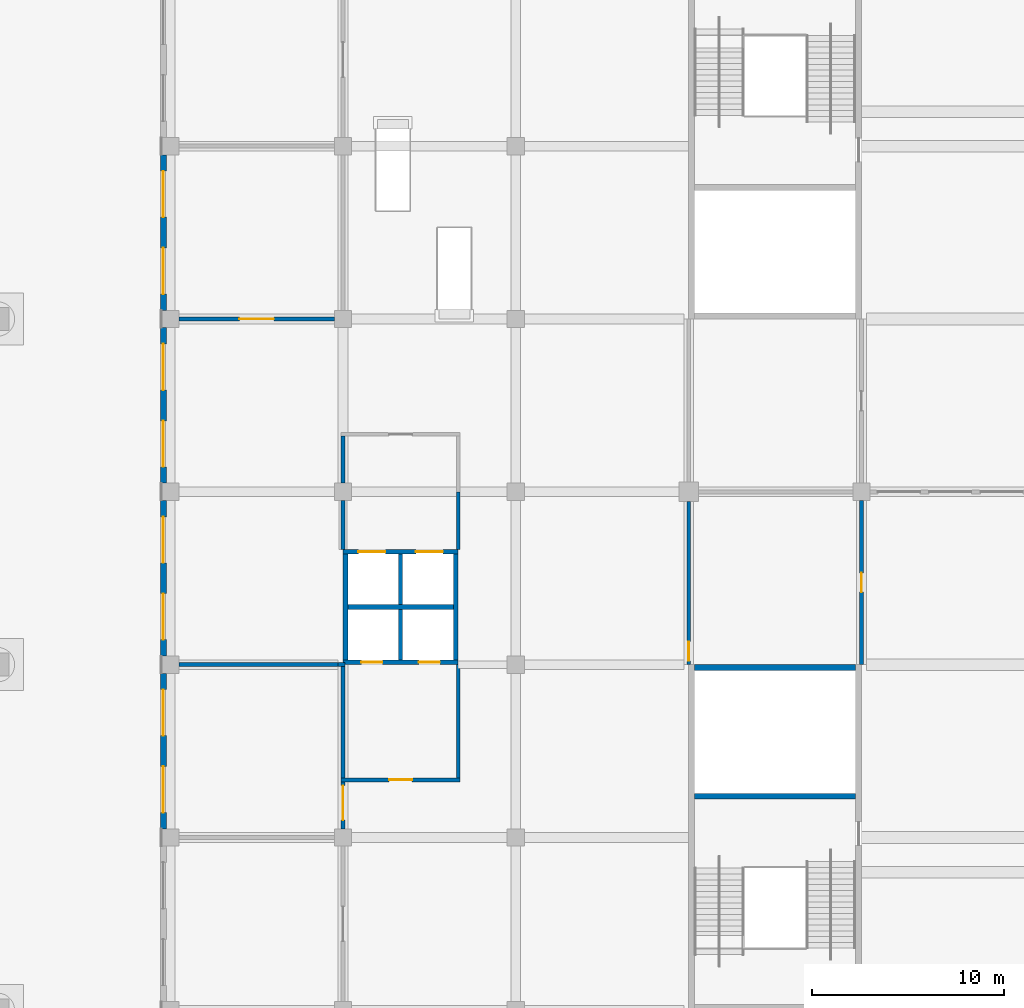
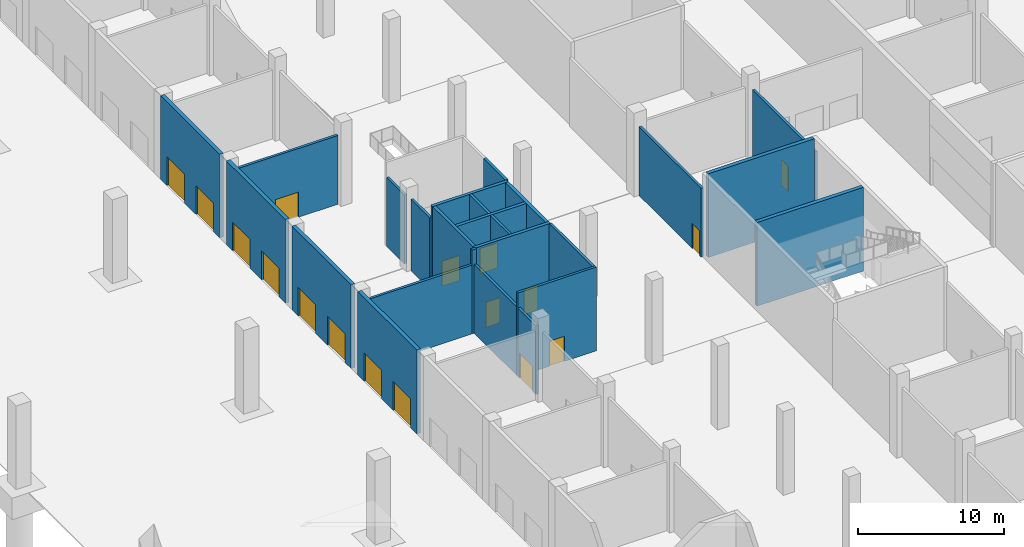
# One storey, part 26 of 92: 25 walls, 17 doors, 17 openings.
"""IFC4 building model written with IfcOpenShell, lengths in metres."""

import ifcopenshell
import ifcopenshell.guid

model = None  # the IFC model being written
_history = None  # IfcOwnerHistory: only IFC2X3 demands one
_inside = {}  # id of a spatial element -> (the spatial element, [elements in it])
_under = {}  # id of a project, library or spatial element -> (it, [spatial elements below it])
_declared = {}  # id of a project -> (the project, [libraries it declares])
_typed = {}  # id of a type object -> (the type object, [elements of that type])
_made_of = {}  # id of a material, layer set ... -> (it, [elements and type objects made of it])


def new_model(schema):
    """Start an empty IFC model of exactly this schema.

    Asked for "IFC4X3", IfcOpenShell would pick the latest addendum, in which some entities
    have other attributes; the version numbers below select the first issue.
    IFC2X3 requires an IfcOwnerHistory on every rooted entity: one is made here for all.
    """
    global model, _history
    if schema == "IFC4X3":
        model = ifcopenshell.file(schema_version=(4, 3, 0, 0))
    else:
        model = ifcopenshell.file(schema=schema)
    _inside.clear()
    _under.clear()
    _declared.clear()
    _typed.clear()
    _made_of.clear()
    _history = None
    if model.schema == "IFC2X3":
        org = make("IfcOrganization", Name="unknown")
        user = make(
            "IfcPersonAndOrganization",
            ThePerson=make("IfcPerson", FamilyName="unknown"),
            TheOrganization=org,
        )
        app = make(
            "IfcApplication",
            ApplicationDeveloper=org,
            Version="unknown",
            ApplicationFullName="unknown",
            ApplicationIdentifier="unknown",
        )
        _history = make(
            "IfcOwnerHistory",
            OwningUser=user,
            OwningApplication=app,
            ChangeAction="ADDED",
            CreationDate=0,
        )
    return model


def make(cls, **values):
    """One entity of the class cls with the attributes given. An attribute that is None is left unset."""
    return model.create_entity(
        cls, **{name: value for name, value in values.items() if value is not None}
    )


def rooted(cls, **values):
    """An entity with a GlobalId (a new one), such as an element, a storey or a relation."""
    return make(cls, GlobalId=ifcopenshell.guid.new(), OwnerHistory=_history, **values)


def si_unit(unit_type, name, prefix=None):
    """IfcSIUnit, for example si_unit("LENGTHUNIT", "METRE", prefix="MILLI")."""
    return make("IfcSIUnit", UnitType=unit_type, Prefix=prefix, Name=name)


def assignment(units):
    """IfcUnitAssignment: the units of a project."""
    return None if units is None else make("IfcUnitAssignment", Units=units)


def point(xyz):
    """IfcCartesianPoint."""
    return None if xyz is None else make("IfcCartesianPoint", Coordinates=xyz)


def direction(xyz):
    """IfcDirection."""
    return None if xyz is None else make("IfcDirection", DirectionRatios=xyz)


def frame(location, z_axis=None, x_axis=None):
    """IfcAxis2Placement3D, a coordinate frame: its origin and axes. An axis left out is left unset."""
    return make(
        "IfcAxis2Placement3D",
        Location=point(location),
        Axis=direction(z_axis),
        RefDirection=direction(x_axis),
    )


def frame_2d(location, x_axis=None):
    """IfcAxis2Placement2D, a coordinate frame in the plane: its origin and x axis."""
    return make(
        "IfcAxis2Placement2D", Location=point(location), RefDirection=direction(x_axis)
    )


def origin():
    """The frame at (0, 0, 0) with its axes left unset."""
    return frame((0.0, 0.0, 0.0))


def place(relative_to, where):
    """IfcLocalPlacement: puts the frame where relative to a parent placement (None: the world)."""
    return make(
        "IfcLocalPlacement", PlacementRelTo=relative_to, RelativePlacement=where
    )


def context(
    kind, dimensions, precision=None, world=None, true_north=None, identifier=None
):
    """IfcGeometricRepresentationContext, for example the 3D "Model" context."""
    return make(
        "IfcGeometricRepresentationContext",
        ContextIdentifier=identifier,
        ContextType=kind,
        CoordinateSpaceDimension=dimensions,
        Precision=precision,
        WorldCoordinateSystem=world,
        TrueNorth=true_north,
    )


def subcontext(parent, identifier, kind, view, scale=None):
    """IfcGeometricRepresentationSubContext, for example "Body" below "Model"."""
    return make(
        "IfcGeometricRepresentationSubContext",
        ContextIdentifier=identifier,
        ContextType=kind,
        ParentContext=parent,
        TargetScale=scale,
        TargetView=view,
    )


def project(units=None, contexts=None):
    """IfcProject with its units and contexts."""
    return rooted(
        "IfcProject",
        Name="project",
        RepresentationContexts=contexts,
        UnitsInContext=assignment(units),
    )


def spatial(cls, under=None, at=None, **own):
    """A site, building, storey or space (cls), placed at a placement, below another one or the project."""
    s = rooted(cls, ObjectPlacement=at, **own)
    if under is not None:
        _under.setdefault(under.id(), (under, []))[1].append(s)
    return s


def profile(cls, at=None, kind="AREA", **sizes):
    """A parametric profile (cls). Its sizes go by their IFC names, for example OverallWidth=200.0."""
    return make(cls, ProfileType=kind, Position=at, **sizes)


def rectangle(**sizes):
    """IfcRectangleProfileDef."""
    return profile("IfcRectangleProfileDef", **sizes)


def extrude(swept, where, along, depth):
    """IfcExtrudedAreaSolid: the profile swept, set in the frame where, extruded along a direction by depth."""
    return make(
        "IfcExtrudedAreaSolid",
        SweptArea=swept,
        Position=where,
        ExtrudedDirection=direction(along),
        Depth=depth,
    )


def shape(context_of_items, identifier, shape_type, items):
    """IfcShapeRepresentation: the items that make up one representation, for example the "Body"."""
    return make(
        "IfcShapeRepresentation",
        ContextOfItems=context_of_items,
        RepresentationIdentifier=identifier,
        RepresentationType=shape_type,
        Items=items,
    )


def material(Name=None, Category=None):
    """IfcMaterial."""
    return make("IfcMaterial", Name=Name, Category=Category)


def layer(
    of_material, thickness, ventilated=None, Name=None, Category=None, Priority=None
):
    """IfcMaterialLayer: one layer of a wall or slab, of a material (None: an air gap)."""
    return make(
        "IfcMaterialLayer",
        Material=of_material,
        LayerThickness=thickness,
        IsVentilated=ventilated,
        Name=Name,
        Category=Category,
        Priority=Priority,
    )


def layer_set(layers, Name=None):
    """IfcMaterialLayerSet."""
    return make("IfcMaterialLayerSet", MaterialLayers=layers, LayerSetName=Name)


def made_of(thing, what):
    """Note that an element or type object is made of a material, layer set ...; save() writes the relation."""
    if what is not None:
        _made_of.setdefault(what.id(), (what, []))[1].append(thing)
    return thing


def type_object(cls, material=None, **own):
    """A type object (cls), such as IfcWallType, which elements share."""
    return made_of(rooted(cls, **own), material)


def element(
    cls,
    number,
    at=None,
    inside=None,
    cuts=None,
    type_object=None,
    material=None,
    context=None,
    identifier="Body",
    shape_type=None,
    held_by="IfcProductDefinitionShape",
    body=None,
    shapes=None,
    **own,
):
    """One element of the class cls, such as IfcWall. Its Tag is "e" and its number.

    at: its placement. inside: the storey or other place that contains it. cuts: it is an
    opening in that element (IfcRelVoidsElement). A single representation is given by context,
    identifier, shape_type and body (its items); several are given by shapes. held_by: the class
    of the entity that holds the representations. save() writes the other relations.
    """
    e = rooted(cls, Tag="e%d" % number, ObjectPlacement=at, **own)
    if body is not None:
        shapes = [shape(context, identifier, shape_type, body)]
    if shapes is not None:
        e.Representation = make(held_by, Representations=shapes)
    if inside is not None:
        _inside.setdefault(inside.id(), (inside, []))[1].append(e)
    if cuts is not None:
        rooted(
            "IfcRelVoidsElement", RelatingBuildingElement=cuts, RelatedOpeningElement=e
        )
    if type_object is not None:
        _typed.setdefault(type_object.id(), (type_object, []))[1].append(e)
    return made_of(e, material)


def fill(opening, filler):
    """IfcRelFillsElement: the door or window that sits in an opening."""
    return rooted(
        "IfcRelFillsElement",
        RelatingOpeningElement=opening,
        RelatedBuildingElement=filler,
    )


def aggregate(whole, parts):
    """IfcRelAggregates: a whole, such as a stair, and the parts it consists of."""
    return rooted("IfcRelAggregates", RelatingObject=whole, RelatedObjects=parts)


def save(model, path):
    """Write the relations noted so far, then the file.

    IfcRelAggregates (storeys below a building ...), IfcRelContainedInSpatialStructure (elements
    in a storey), IfcRelDefinesByType, IfcRelAssociatesMaterial and IfcRelDeclares: one each for
    every whole, place, type object, material and project.
    """
    for whole, parts in _under.values():
        aggregate(whole, parts)
    for where, things in _inside.values():
        rooted(
            "IfcRelContainedInSpatialStructure",
            RelatedElements=things,
            RelatingStructure=where,
        )
    for kind, things in _typed.values():
        rooted("IfcRelDefinesByType", RelatedObjects=things, RelatingType=kind)
    for what, things in _made_of.values():
        rooted("IfcRelAssociatesMaterial", RelatedObjects=things, RelatingMaterial=what)
    for by, libraries in _declared.values():
        rooted("IfcRelDeclares", RelatingContext=by, RelatedDefinitions=libraries)
    model.write(path)


model = new_model("IFC4")

# Units and contexts
model_context = context("Model", 3, precision=1e-05, world=origin(), true_north=direction((0.0, 1.0)))
body_context = subcontext(model_context, "Body", "Model", "MODEL_VIEW")
ifc_project = project(units=[si_unit("LENGTHUNIT", "METRE"), si_unit("AREAUNIT", "SQUARE_METRE"), si_unit("VOLUMEUNIT", "CUBIC_METRE"), si_unit("PLANEANGLEUNIT", "RADIAN"), si_unit("MASSUNIT", "GRAM", prefix="KILO")], contexts=[model_context])

# Site, building, storey
site_placement = place(None, origin())
site = spatial("IfcSite", under=ifc_project, at=site_placement, CompositionType="ELEMENT")
building_placement = place(site_placement, origin())
building = spatial("IfcBuilding", under=site, at=building_placement, Name="Silverbay Arena", CompositionType="ELEMENT")
storey_placement = place(building_placement, origin())
storey = spatial("IfcBuildingStorey", under=building, at=storey_placement, Name="L00", CompositionType="ELEMENT", Elevation=0.0)

# Wall, openings, doors
ifc_material_1 = material(Name="Concrete Grade C45 precast, board-marked finish", Category="concrete")
ifc_layer_1 = layer(ifc_material_1, 0.300048828125)
ifc_layer_set_1 = layer_set([ifc_layer_1], Name="Concrete Grade C45 precast, board-marked finish")
wall_type_1 = type_object("IfcWallType", Name="Board-marked precast wall 300", PredefinedType="SOLIDWALL", material=ifc_layer_set_1)
wall_1_placement = place(storey_placement, frame((26.64990234375, 71.550048828125, 0.0), z_axis=(0.0, 0.0, 1.0), x_axis=(0.0, -1.0, 0.0)))
wall_1 = element("IfcWall", 1, at=wall_1_placement, inside=storey, type_object=wall_type_1, Name="West external wall L00 bay 6", PredefinedType="SOLIDWALL", context=body_context, shape_type="SweptSolid", body=[
    extrude(rectangle(XDim=8.10009765625, YDim=0.300048828125, at=frame_2d((4.050048828125, 0.0))), origin(), (0.0, 0.0, 1.0), 7.0),
])
opening_1_placement = place(wall_1_placement, frame((4.85009765625, 0.0, 0.0)))
opening_1 = element("IfcOpeningElement", 2, at=opening_1_placement, cuts=wall_1, Name="Opening L00-144", PredefinedType="OPENING", context=body_context, shape_type="SweptSolid", body=[
    extrude(rectangle(XDim=2.39990234375, YDim=2.39990234375, at=frame_2d((1.199951171875, 1.199951171875))), frame((0.0, 0.16015625, 0.0), z_axis=(0.0, -1.0, 0.0), x_axis=(1.0, 0.0, 0.0)), (0.0, 0.0, 1.0), 0.320068359375),
])
opening_2_placement = place(wall_1_placement, frame((0.85009765625, 0.0, 0.0)))
opening_2 = element("IfcOpeningElement", 3, at=opening_2_placement, cuts=wall_1, Name="Opening L00-145", PredefinedType="OPENING", context=body_context, shape_type="SweptSolid", body=[
    extrude(rectangle(XDim=2.39990234375, YDim=2.39990234375, at=frame_2d((1.199951171875, 1.199951171875))), frame((0.0, 0.16015625, 0.0), z_axis=(0.0, -1.0, 0.0), x_axis=(1.0, 0.0, 0.0)), (0.0, 0.0, 1.0), 0.320068359375),
])
ifc_material_2 = material(Name="Steel", Category="steel")
door_type_1 = type_object("IfcDoorType", Name="Exit gate door 2400 x 2400", OperationType="DOUBLE_DOOR_SINGLE_SWING", PredefinedType="DOOR", material=ifc_material_2)
door_1_placement = place(opening_1_placement, frame((2.39990234375, 0.0, 0.0), z_axis=(0.0, 0.0, 1.0), x_axis=(-1.0, 0.0, 0.0)))
door_1 = element("IfcDoor", 4, at=door_1_placement, inside=storey, type_object=door_type_1, Name="Pedestrian exit gate G15", OperationType="DOUBLE_DOOR_SINGLE_SWING", OverallHeight=2.39990234375, OverallWidth=2.39990234375, PredefinedType="DOOR", context=body_context, shape_type="SweptSolid", body=[
    extrude(rectangle(XDim=2.39990234375, YDim=2.39990234375, at=frame_2d((1.199951171875, 1.199951171875))), frame((0.0, 0.02490234375, 0.0), z_axis=(0.0, -1.0, 0.0), x_axis=(1.0, 0.0, 0.0)), (0.0, 0.0, 1.0), 0.050048828125),
])
fill(opening_1, door_1)
door_2_placement = place(opening_2_placement, frame((2.39990234375, 0.0, 0.0), z_axis=(0.0, 0.0, 1.0), x_axis=(-1.0, 0.0, 0.0)))
door_2 = element("IfcDoor", 5, at=door_2_placement, inside=storey, type_object=door_type_1, Name="Pedestrian exit gate G16", OperationType="DOUBLE_DOOR_SINGLE_SWING", OverallHeight=2.39990234375, OverallWidth=2.39990234375, PredefinedType="DOOR", context=body_context, shape_type="SweptSolid", body=[
    extrude(rectangle(XDim=2.39990234375, YDim=2.39990234375, at=frame_2d((1.199951171875, 1.199951171875))), frame((0.0, 0.02490234375, 0.0), z_axis=(0.0, -1.0, 0.0), x_axis=(1.0, 0.0, 0.0)), (0.0, 0.0, 1.0), 0.050048828125),
])
fill(opening_2, door_2)

wall_2_placement = place(storey_placement, frame((26.64990234375, 80.550048828125, 0.0), z_axis=(0.0, 0.0, 1.0), x_axis=(0.0, -1.0, 0.0)))
wall_2 = element("IfcWall", 6, at=wall_2_placement, inside=storey, type_object=wall_type_1, Name="West external wall L00 bay 7", PredefinedType="SOLIDWALL", context=body_context, shape_type="SweptSolid", body=[
    extrude(rectangle(XDim=8.10009765625, YDim=0.300048828125, at=frame_2d((4.050048828125, 0.0))), origin(), (0.0, 0.0, 1.0), 7.0),
])
opening_3_placement = place(wall_2_placement, frame((4.85009765625, 0.0, 0.0)))
opening_3 = element("IfcOpeningElement", 7, at=opening_3_placement, cuts=wall_2, Name="Opening L00-146", PredefinedType="OPENING", context=body_context, shape_type="SweptSolid", body=[
    extrude(rectangle(XDim=2.39990234375, YDim=2.39990234375, at=frame_2d((1.199951171875, 1.199951171875))), frame((0.0, 0.16015625, 0.0), z_axis=(0.0, -1.0, 0.0), x_axis=(1.0, 0.0, 0.0)), (0.0, 0.0, 1.0), 0.320068359375),
])
opening_4_placement = place(wall_2_placement, frame((0.85009765625, 0.0, 0.0)))
opening_4 = element("IfcOpeningElement", 8, at=opening_4_placement, cuts=wall_2, Name="Opening L00-147", PredefinedType="OPENING", context=body_context, shape_type="SweptSolid", body=[
    extrude(rectangle(XDim=2.39990234375, YDim=2.39990234375, at=frame_2d((1.199951171875, 1.199951171875))), frame((0.0, 0.16015625, 0.0), z_axis=(0.0, -1.0, 0.0), x_axis=(1.0, 0.0, 0.0)), (0.0, 0.0, 1.0), 0.320068359375),
])
door_3_placement = place(opening_3_placement, frame((2.39990234375, 0.0, 0.0), z_axis=(0.0, 0.0, 1.0), x_axis=(-1.0, 0.0, 0.0)))
door_3 = element("IfcDoor", 9, at=door_3_placement, inside=storey, type_object=door_type_1, Name="Pedestrian exit gate G17", OperationType="DOUBLE_DOOR_SINGLE_SWING", OverallHeight=2.39990234375, OverallWidth=2.39990234375, PredefinedType="DOOR", context=body_context, shape_type="SweptSolid", body=[
    extrude(rectangle(XDim=2.39990234375, YDim=2.39990234375, at=frame_2d((1.199951171875, 1.199951171875))), frame((0.0, 0.02490234375, 0.0), z_axis=(0.0, -1.0, 0.0), x_axis=(1.0, 0.0, 0.0)), (0.0, 0.0, 1.0), 0.050048828125),
])
fill(opening_3, door_3)
door_4_placement = place(opening_4_placement, frame((2.39990234375, 0.0, 0.0), z_axis=(0.0, 0.0, 1.0), x_axis=(-1.0, 0.0, 0.0)))
door_4 = element("IfcDoor", 10, at=door_4_placement, inside=storey, type_object=door_type_1, Name="Pedestrian exit gate G18", OperationType="DOUBLE_DOOR_SINGLE_SWING", OverallHeight=2.39990234375, OverallWidth=2.39990234375, PredefinedType="DOOR", context=body_context, shape_type="SweptSolid", body=[
    extrude(rectangle(XDim=2.39990234375, YDim=2.39990234375, at=frame_2d((1.199951171875, 1.199951171875))), frame((0.0, 0.02490234375, 0.0), z_axis=(0.0, -1.0, 0.0), x_axis=(1.0, 0.0, 0.0)), (0.0, 0.0, 1.0), 0.050048828125),
])
fill(opening_4, door_4)

wall_3_placement = place(storey_placement, frame((26.64990234375, 89.550048828125, 0.0), z_axis=(0.0, 0.0, 1.0), x_axis=(0.0, -1.0, 0.0)))
wall_3 = element("IfcWall", 11, at=wall_3_placement, inside=storey, type_object=wall_type_1, Name="West external wall L00 bay 8", PredefinedType="SOLIDWALL", context=body_context, shape_type="SweptSolid", body=[
    extrude(rectangle(XDim=8.10009765625, YDim=0.300048828125, at=frame_2d((4.050048828125, 0.0))), origin(), (0.0, 0.0, 1.0), 7.0),
])
opening_5_placement = place(wall_3_placement, frame((4.85009765625, 0.0, 0.0)))
opening_5 = element("IfcOpeningElement", 12, at=opening_5_placement, cuts=wall_3, Name="Opening L00-148", PredefinedType="OPENING", context=body_context, shape_type="SweptSolid", body=[
    extrude(rectangle(XDim=2.39990234375, YDim=2.39990234375, at=frame_2d((1.199951171875, 1.199951171875))), frame((0.0, 0.16015625, 0.0), z_axis=(0.0, -1.0, 0.0), x_axis=(1.0, 0.0, 0.0)), (0.0, 0.0, 1.0), 0.320068359375),
])
opening_6_placement = place(wall_3_placement, frame((0.85009765625, 0.0, 0.0)))
opening_6 = element("IfcOpeningElement", 13, at=opening_6_placement, cuts=wall_3, Name="Opening L00-149", PredefinedType="OPENING", context=body_context, shape_type="SweptSolid", body=[
    extrude(rectangle(XDim=2.39990234375, YDim=2.39990234375, at=frame_2d((1.199951171875, 1.199951171875))), frame((0.0, 0.16015625, 0.0), z_axis=(0.0, -1.0, 0.0), x_axis=(1.0, 0.0, 0.0)), (0.0, 0.0, 1.0), 0.320068359375),
])
door_5_placement = place(opening_5_placement, frame((2.39990234375, 0.0, 0.0), z_axis=(0.0, 0.0, 1.0), x_axis=(-1.0, 0.0, 0.0)))
door_5 = element("IfcDoor", 14, at=door_5_placement, inside=storey, type_object=door_type_1, Name="Pedestrian exit gate G19", OperationType="DOUBLE_DOOR_SINGLE_SWING", OverallHeight=2.39990234375, OverallWidth=2.39990234375, PredefinedType="DOOR", context=body_context, shape_type="SweptSolid", body=[
    extrude(rectangle(XDim=2.39990234375, YDim=2.39990234375, at=frame_2d((1.199951171875, 1.199951171875))), frame((0.0, 0.02490234375, 0.0), z_axis=(0.0, -1.0, 0.0), x_axis=(1.0, 0.0, 0.0)), (0.0, 0.0, 1.0), 0.050048828125),
])
fill(opening_5, door_5)
door_6_placement = place(opening_6_placement, frame((2.39990234375, 0.0, 0.0), z_axis=(0.0, 0.0, 1.0), x_axis=(-1.0, 0.0, 0.0)))
door_6 = element("IfcDoor", 15, at=door_6_placement, inside=storey, type_object=door_type_1, Name="Pedestrian exit gate G20", OperationType="DOUBLE_DOOR_SINGLE_SWING", OverallHeight=2.39990234375, OverallWidth=2.39990234375, PredefinedType="DOOR", context=body_context, shape_type="SweptSolid", body=[
    extrude(rectangle(XDim=2.39990234375, YDim=2.39990234375, at=frame_2d((1.199951171875, 1.199951171875))), frame((0.0, 0.02490234375, 0.0), z_axis=(0.0, -1.0, 0.0), x_axis=(1.0, 0.0, 0.0)), (0.0, 0.0, 1.0), 0.050048828125),
])
fill(opening_6, door_6)

wall_4_placement = place(storey_placement, frame((26.64990234375, 98.550048828125, 0.0), z_axis=(0.0, 0.0, 1.0), x_axis=(0.0, -1.0, 0.0)))
wall_4 = element("IfcWall", 16, at=wall_4_placement, inside=storey, type_object=wall_type_1, Name="West external wall L00 bay 9", PredefinedType="SOLIDWALL", context=body_context, shape_type="SweptSolid", body=[
    extrude(rectangle(XDim=8.10009765625, YDim=0.300048828125, at=frame_2d((4.050048828125, 0.0))), origin(), (0.0, 0.0, 1.0), 7.0),
])
opening_7_placement = place(wall_4_placement, frame((4.85009765625, 0.0, 0.0)))
opening_7 = element("IfcOpeningElement", 17, at=opening_7_placement, cuts=wall_4, Name="Opening L00-150", PredefinedType="OPENING", context=body_context, shape_type="SweptSolid", body=[
    extrude(rectangle(XDim=2.39990234375, YDim=2.39990234375, at=frame_2d((1.199951171875, 1.199951171875))), frame((0.0, 0.16015625, 0.0), z_axis=(0.0, -1.0, 0.0), x_axis=(1.0, 0.0, 0.0)), (0.0, 0.0, 1.0), 0.320068359375),
])
opening_8_placement = place(wall_4_placement, frame((0.85009765625, 0.0, 0.0)))
opening_8 = element("IfcOpeningElement", 18, at=opening_8_placement, cuts=wall_4, Name="Opening L00-151", PredefinedType="OPENING", context=body_context, shape_type="SweptSolid", body=[
    extrude(rectangle(XDim=2.39990234375, YDim=2.39990234375, at=frame_2d((1.199951171875, 1.199951171875))), frame((0.0, 0.16015625, 0.0), z_axis=(0.0, -1.0, 0.0), x_axis=(1.0, 0.0, 0.0)), (0.0, 0.0, 1.0), 0.320068359375),
])
door_7_placement = place(opening_7_placement, frame((2.39990234375, 0.0, 0.0), z_axis=(0.0, 0.0, 1.0), x_axis=(-1.0, 0.0, 0.0)))
door_7 = element("IfcDoor", 19, at=door_7_placement, inside=storey, type_object=door_type_1, Name="Pedestrian exit gate G21", OperationType="DOUBLE_DOOR_SINGLE_SWING", OverallHeight=2.39990234375, OverallWidth=2.39990234375, PredefinedType="DOOR", context=body_context, shape_type="SweptSolid", body=[
    extrude(rectangle(XDim=2.39990234375, YDim=2.39990234375, at=frame_2d((1.199951171875, 1.199951171875))), frame((0.0, 0.02490234375, 0.0), z_axis=(0.0, -1.0, 0.0), x_axis=(1.0, 0.0, 0.0)), (0.0, 0.0, 1.0), 0.050048828125),
])
fill(opening_7, door_7)
door_8_placement = place(opening_8_placement, frame((2.39990234375, 0.0, 0.0), z_axis=(0.0, 0.0, 1.0), x_axis=(-1.0, 0.0, 0.0)))
door_8 = element("IfcDoor", 20, at=door_8_placement, inside=storey, type_object=door_type_1, Name="Pedestrian exit gate G22", OperationType="DOUBLE_DOOR_SINGLE_SWING", OverallHeight=2.39990234375, OverallWidth=2.39990234375, PredefinedType="DOOR", context=body_context, shape_type="SweptSolid", body=[
    extrude(rectangle(XDim=2.39990234375, YDim=2.39990234375, at=frame_2d((1.199951171875, 1.199951171875))), frame((0.0, 0.02490234375, 0.0), z_axis=(0.0, -1.0, 0.0), x_axis=(1.0, 0.0, 0.0)), (0.0, 0.0, 1.0), 0.050048828125),
])
fill(opening_8, door_8)

# Walls
ifc_material_3 = material(Name="Concrete Grade C45", Category="concrete")
ifc_layer_2 = layer(ifc_material_3, 0.300048828125)
ifc_layer_set_2 = layer_set([ifc_layer_2], Name="Concrete Grade C45")
wall_type_2 = type_object("IfcWallType", Name="Core wall RC 300 EI 120", PredefinedType="SHEAR", material=ifc_layer_set_2)
for number, where, z_axis, x_axis, name in (
    (21, (62.699951171875, 71.85009765625, 0.0), (0.0, 0.0, 1.0), (-1.0, 0.0, 0.0), "Core wall ST-W1 L00 end 2"),
    (22, (62.699951171875, 65.14990234375, 0.0), (0.0, 0.0, 1.0), (-1.0, 0.0, 0.0), "Core wall ST-W1 L00 stair enclosure"),
):
    element("IfcWall", number, at=place(storey_placement, frame(where, z_axis=z_axis, x_axis=x_axis)), inside=storey, type_object=wall_type_2, Name=name, PredefinedType="SHEAR", context=body_context, shape_type="SweptSolid", body=[
        extrude(rectangle(XDim=8.39990234375, YDim=0.300048828125, at=frame_2d((4.199951171875, 0.0))), origin(), (0.0, 0.0, 1.0), 7.0),
    ])
ifc_material_4 = material(Name="Concrete Grade C45", Category="concrete")
ifc_layer_3 = layer(ifc_material_4, 0.199951171875)
ifc_layer_set_3 = layer_set([ifc_layer_3], Name="Concrete Grade C45")
wall_type_3 = type_object("IfcWallType", Name="Lift shaft divider RC 200 EI 120", PredefinedType="SHEAR", material=ifc_layer_set_3)
for number, where, z_axis, x_axis, name in (
    (23, (39.0, 72.25, 0.0), (0.0, 0.0, 1.0), (0.0, 1.0, 0.0), "Lift shaft divider LB-WG L00 s"),
    (24, (39.0, 75.125, 0.0), (0.0, 0.0, 1.0), (0.0, 1.0, 0.0), "Lift shaft divider LB-WG L00 n"),
):
    element("IfcWall", number, at=place(storey_placement, frame(where, z_axis=z_axis, x_axis=x_axis)), inside=storey, type_object=wall_type_3, Name=name, PredefinedType="SHEAR", context=body_context, shape_type="SweptSolid", body=[
        extrude(rectangle(XDim=2.625, YDim=0.199951171875, at=frame_2d((1.3125, 0.0))), origin(), (0.0, 0.0, 1.0), 7.0),
    ])

# Wall, openings, doors
ifc_material_5 = material(Name="Concrete Grade C45", Category="concrete")
ifc_layer_4 = layer(ifc_material_5, 0.25)
ifc_layer_set_4 = layer_set([ifc_layer_4], Name="Concrete Grade C45")
wall_type_4 = type_object("IfcWallType", Name="Lift shaft wall RC 250 EI 120", PredefinedType="SHEAR", material=ifc_layer_set_4)
wall_5_placement = place(storey_placement, frame((36.0, 72.125, 0.0), z_axis=(0.0, 0.0, 1.0), x_axis=(1.0, 0.0, 0.0)))
wall_5 = element("IfcWall", 25, at=wall_5_placement, inside=storey, type_object=wall_type_4, Name="Lift shaft wall LB-WG L00 south", PredefinedType="SHEAR", context=body_context, shape_type="SweptSolid", body=[
    extrude(rectangle(XDim=6.0, YDim=0.25, at=frame_2d((3.0, 0.0))), origin(), (0.0, 0.0, 1.0), 7.0),
])
opening_9_placement = place(wall_5_placement, frame((0.949951171875, 0.0, 0.0)))
opening_9 = element("IfcOpeningElement", 26, at=opening_9_placement, cuts=wall_5, Name="Opening L00-214", PredefinedType="OPENING", context=body_context, shape_type="SweptSolid", body=[
    extrude(rectangle(XDim=1.10009765625, YDim=2.10009765625, at=frame_2d((0.550048828125, 1.050048828125))), frame((0.0, 0.135009765625, 0.0), z_axis=(0.0, -1.0, 0.0), x_axis=(1.0, 0.0, 0.0)), (0.0, 0.0, 1.0), 0.27001953125),
])
opening_10_placement = place(wall_5_placement, frame((3.949951171875, 0.0, 0.0)))
opening_10 = element("IfcOpeningElement", 27, at=opening_10_placement, cuts=wall_5, Name="Opening L00-215", PredefinedType="OPENING", context=body_context, shape_type="SweptSolid", body=[
    extrude(rectangle(XDim=1.10009765625, YDim=2.10009765625, at=frame_2d((0.550048828125, 1.050048828125))), frame((0.0, 0.135009765625, 0.0), z_axis=(0.0, -1.0, 0.0), x_axis=(1.0, 0.0, 0.0)), (0.0, 0.0, 1.0), 0.27001953125),
])
ifc_material_6 = material(Name="Stainless steel", Category="steel")
door_type_2 = type_object("IfcDoorType", Name="LD1 lift landing door 1100 x 2100", OperationType="DOUBLE_DOOR_SLIDING", PredefinedType="DOOR", material=ifc_material_6)
door_9_placement = place(opening_9_placement, origin())
door_9 = element("IfcDoor", 28, at=door_9_placement, inside=storey, type_object=door_type_2, Name="Lift landing door LF15 L00", OperationType="DOUBLE_DOOR_SLIDING", OverallHeight=2.10009765625, OverallWidth=1.10009765625, PredefinedType="DOOR", context=body_context, shape_type="SweptSolid", body=[
    extrude(rectangle(XDim=1.10009765625, YDim=2.10009765625, at=frame_2d((0.550048828125, 1.050048828125))), frame((0.0, 0.02490234375, 0.0), z_axis=(0.0, -1.0, 0.0), x_axis=(1.0, 0.0, 0.0)), (0.0, 0.0, 1.0), 0.050048828125),
])
fill(opening_9, door_9)
door_10_placement = place(opening_10_placement, origin())
door_10 = element("IfcDoor", 29, at=door_10_placement, inside=storey, type_object=door_type_2, Name="Lift landing door LF16 L00", OperationType="DOUBLE_DOOR_SLIDING", OverallHeight=2.10009765625, OverallWidth=1.10009765625, PredefinedType="DOOR", context=body_context, shape_type="SweptSolid", body=[
    extrude(rectangle(XDim=1.10009765625, YDim=2.10009765625, at=frame_2d((0.550048828125, 1.050048828125))), frame((0.0, 0.02490234375, 0.0), z_axis=(0.0, -1.0, 0.0), x_axis=(1.0, 0.0, 0.0)), (0.0, 0.0, 1.0), 0.050048828125),
])
fill(opening_10, door_10)

wall_6_placement = place(storey_placement, frame((36.0, 77.875, 0.0), z_axis=(0.0, 0.0, 1.0), x_axis=(1.0, 0.0, 0.0)))
wall_6 = element("IfcWall", 30, at=wall_6_placement, inside=storey, type_object=wall_type_4, Name="Lift shaft wall LB-WG L00 north", PredefinedType="SHEAR", context=body_context, shape_type="SweptSolid", body=[
    extrude(rectangle(XDim=6.0, YDim=0.25, at=frame_2d((3.0, 0.0))), origin(), (0.0, 0.0, 1.0), 7.0),
])
opening_11_placement = place(wall_6_placement, frame((0.800048828125, 0.0, 0.0)))
opening_11 = element("IfcOpeningElement", 31, at=opening_11_placement, cuts=wall_6, Name="Opening L00-216", PredefinedType="OPENING", context=body_context, shape_type="SweptSolid", body=[
    extrude(rectangle(XDim=1.39990234375, YDim=2.10009765625, at=frame_2d((0.699951171875, 1.050048828125))), frame((0.0, 0.135009765625, 0.0), z_axis=(0.0, -1.0, 0.0), x_axis=(1.0, 0.0, 0.0)), (0.0, 0.0, 1.0), 0.27001953125),
])
opening_12_placement = place(wall_6_placement, frame((3.800048828125, 0.0, 0.0)))
opening_12 = element("IfcOpeningElement", 32, at=opening_12_placement, cuts=wall_6, Name="Opening L00-217", PredefinedType="OPENING", context=body_context, shape_type="SweptSolid", body=[
    extrude(rectangle(XDim=1.39990234375, YDim=2.10009765625, at=frame_2d((0.699951171875, 1.050048828125))), frame((0.0, 0.135009765625, 0.0), z_axis=(0.0, -1.0, 0.0), x_axis=(1.0, 0.0, 0.0)), (0.0, 0.0, 1.0), 0.27001953125),
])
ifc_material_7 = material(Name="Stainless steel", Category="steel")
door_type_3 = type_object("IfcDoorType", Name="LD2 lift landing door 1400 x 2100", OperationType="DOUBLE_DOOR_SLIDING", PredefinedType="DOOR", material=ifc_material_7)
door_11_placement = place(opening_11_placement, origin())
door_11 = element("IfcDoor", 33, at=door_11_placement, inside=storey, type_object=door_type_3, Name="Lift landing door LF17 L00", OperationType="DOUBLE_DOOR_SLIDING", OverallHeight=2.10009765625, OverallWidth=1.39990234375, PredefinedType="DOOR", context=body_context, shape_type="SweptSolid", body=[
    extrude(rectangle(XDim=1.39990234375, YDim=2.10009765625, at=frame_2d((0.699951171875, 1.050048828125))), frame((0.0, 0.02490234375, 0.0), z_axis=(0.0, -1.0, 0.0), x_axis=(1.0, 0.0, 0.0)), (0.0, 0.0, 1.0), 0.050048828125),
])
fill(opening_11, door_11)
door_12_placement = place(opening_12_placement, origin())
door_12 = element("IfcDoor", 34, at=door_12_placement, inside=storey, type_object=door_type_3, Name="Lift landing door LF19 L00", OperationType="DOUBLE_DOOR_SLIDING", OverallHeight=2.10009765625, OverallWidth=1.39990234375, PredefinedType="DOOR", context=body_context, shape_type="SweptSolid", body=[
    extrude(rectangle(XDim=1.39990234375, YDim=2.10009765625, at=frame_2d((0.699951171875, 1.050048828125))), frame((0.0, 0.02490234375, 0.0), z_axis=(0.0, -1.0, 0.0), x_axis=(1.0, 0.0, 0.0)), (0.0, 0.0, 1.0), 0.050048828125),
])
fill(opening_12, door_12)

# Walls
wall_7_placement = place(storey_placement, frame((36.0, 75.0, 0.0), z_axis=(0.0, 0.0, 1.0), x_axis=(1.0, 0.0, 0.0)))
element("IfcWall", 35, at=wall_7_placement, inside=storey, type_object=wall_type_4, Name="Lift shaft wall LB-WG L00 middle", PredefinedType="SHEAR", context=body_context, shape_type="SweptSolid", body=[
    extrude(rectangle(XDim=6.0, YDim=0.25, at=frame_2d((3.0, 0.0))), origin(), (0.0, 0.0, 1.0), 7.0),
])
for number, where, z_axis, x_axis, name in (
    (36, (36.125, 72.25, 0.0), (0.0, 0.0, 1.0), (0.0, 1.0, 0.0), "Lift shaft wall LB-WG L00 end"),
    (37, (41.875, 72.25, 0.0), (0.0, 0.0, 1.0), (0.0, 1.0, 0.0), "Lift shaft wall LB-WG L00 end"),
):
    element("IfcWall", number, at=place(storey_placement, frame(where, z_axis=z_axis, x_axis=x_axis)), inside=storey, type_object=wall_type_4, Name=name, PredefinedType="SHEAR", context=body_context, shape_type="SweptSolid", body=[
        extrude(rectangle(XDim=5.5, YDim=0.25, at=frame_2d((2.75, 0.0))), origin(), (0.0, 0.0, 1.0), 7.0),
    ])

# Wall, opening, door
ifc_material_8 = material(Name="Masonry blockwork partition", Category="masonry")
ifc_layer_5 = layer(ifc_material_8, 0.199951171875)
ifc_layer_set_5 = layer_set([ifc_layer_5], Name="Masonry blockwork partition")
wall_type_5 = type_object("IfcWallType", Name="Partition 200 EI 120", PredefinedType="PARTITIONING", material=ifc_layer_set_5)
wall_8_placement = place(storey_placement, frame((35.89990234375, 66.0, 0.0), z_axis=(0.0, 0.0, 1.0), x_axis=(1.0, 0.0, 0.0)))
wall_8 = element("IfcWall", 38, at=wall_8_placement, inside=storey, type_object=wall_type_5, Name="Partition wall", PredefinedType="PARTITIONING", context=body_context, shape_type="SweptSolid", body=[
    extrude(rectangle(XDim=6.2001953125, YDim=0.199951171875, at=frame_2d((3.10009765625, 0.0))), origin(), (0.0, 0.0, 1.0), 7.0),
])
opening_13_placement = place(wall_8_placement, frame((2.5, 0.0, 0.0)))
opening_13 = element("IfcOpeningElement", 39, at=opening_13_placement, cuts=wall_8, Name="Opening L00-063", PredefinedType="OPENING", context=body_context, shape_type="SweptSolid", body=[
    extrude(rectangle(XDim=1.199951171875, YDim=2.10009765625, at=frame_2d((0.60009765625, 1.050048828125))), frame((0.0, 0.10986328125, 0.0), z_axis=(0.0, -1.0, 0.0), x_axis=(1.0, 0.0, 0.0)), (0.0, 0.0, 1.0), 0.219970703125),
])
ifc_material_9 = material(Name="Steel faced timber", Category="steel")
door_type_4 = type_object("IfcDoorType", Name="Single leaf door 1200 x 2100 FD120", OperationType="SINGLE_SWING_LEFT", PredefinedType="DOOR", material=ifc_material_9)
door_13_placement = place(opening_13_placement, frame((1.199951171875, 0.0, 0.0), z_axis=(0.0, 0.0, 1.0), x_axis=(-1.0, 0.0, 0.0)))
door_13 = element("IfcDoor", 40, at=door_13_placement, inside=storey, type_object=door_type_4, Name="Door L00-063", OperationType="SINGLE_SWING_RIGHT", OverallHeight=2.10009765625, OverallWidth=1.199951171875, PredefinedType="DOOR", context=body_context, shape_type="SweptSolid", body=[
    extrude(rectangle(XDim=1.199951171875, YDim=2.10009765625, at=frame_2d((0.60009765625, 1.050048828125))), frame((0.0, 0.02490234375, 0.0), z_axis=(0.0, -1.0, 0.0), x_axis=(1.0, 0.0, 0.0)), (0.0, 0.0, 1.0), 0.050048828125),
])
fill(opening_13, door_13)

# Walls
wall_9_placement = place(storey_placement, frame((36.0, 66.10009765625, 0.0), z_axis=(0.0, 0.0, 1.0), x_axis=(0.0, 1.0, 0.0)))
element("IfcWall", 41, at=wall_9_placement, inside=storey, type_object=wall_type_5, Name="Partition wall", PredefinedType="PARTITIONING", context=body_context, shape_type="SweptSolid", body=[
    extrude(rectangle(XDim=5.7998046875, YDim=0.199951171875, at=frame_2d((2.89990234375, 0.0))), origin(), (0.0, 0.0, 1.0), 5.75),
])
wall_10_placement = place(storey_placement, frame((36.0, 78.0, 0.0), z_axis=(0.0, 0.0, 1.0), x_axis=(0.0, 1.0, 0.0)))
element("IfcWall", 42, at=wall_10_placement, inside=storey, type_object=wall_type_5, Name="Partition wall", PredefinedType="PARTITIONING", context=body_context, shape_type="SweptSolid", body=[
    extrude(rectangle(XDim=2.550048828125, YDim=0.199951171875, at=frame_2d((1.27490234375, 0.0))), origin(), (0.0, 0.0, 1.0), 5.949951171875),
])
wall_11_placement = place(storey_placement, frame((36.0, 81.449951171875, 0.0), z_axis=(0.0, 0.0, 1.0), x_axis=(0.0, 1.0, 0.0)))
element("IfcWall", 43, at=wall_11_placement, inside=storey, type_object=wall_type_5, Name="Partition wall", PredefinedType="PARTITIONING", context=body_context, shape_type="SweptSolid", body=[
    extrude(rectangle(XDim=2.449951171875, YDim=0.199951171875, at=frame_2d((1.22509765625, 0.0))), origin(), (0.0, 0.0, 1.0), 5.75),
])
wall_12_placement = place(storey_placement, frame((42.0, 66.10009765625, 0.0), z_axis=(0.0, 0.0, 1.0), x_axis=(0.0, 1.0, 0.0)))
element("IfcWall", 44, at=wall_12_placement, inside=storey, type_object=wall_type_5, Name="Partition wall", PredefinedType="PARTITIONING", context=body_context, shape_type="SweptSolid", body=[
    extrude(rectangle(XDim=5.89990234375, YDim=0.199951171875, at=frame_2d((2.949951171875, 0.0))), origin(), (0.0, 0.0, 1.0), 7.0),
])
wall_13_placement = place(storey_placement, frame((42.0, 78.0, 0.0), z_axis=(0.0, 0.0, 1.0), x_axis=(0.0, 1.0, 0.0)))
element("IfcWall", 45, at=wall_13_placement, inside=storey, type_object=wall_type_5, Name="Partition wall", PredefinedType="PARTITIONING", context=body_context, shape_type="SweptSolid", body=[
    extrude(rectangle(XDim=3.0, YDim=0.199951171875, at=frame_2d((1.5, 0.0))), origin(), (0.0, 0.0, 1.0), 7.0),
])

# Wall, opening, door
wall_14_placement = place(storey_placement, frame((54.0, 72.0, 0.0), z_axis=(0.0, 0.0, 1.0), x_axis=(0.0, 1.0, 0.0)))
wall_14 = element("IfcWall", 46, at=wall_14_placement, inside=storey, type_object=wall_type_5, Name="Partition wall", PredefinedType="PARTITIONING", context=body_context, shape_type="SweptSolid", body=[
    extrude(rectangle(XDim=8.5, YDim=0.199951171875, at=frame_2d((4.25, 0.0))), origin(), (0.0, 0.0, 1.0), 5.75),
])
opening_14_placement = place(wall_14_placement, frame((0.199951171875, 0.0, 0.0)))
opening_14 = element("IfcOpeningElement", 47, at=opening_14_placement, cuts=wall_14, Name="Opening L00-093", PredefinedType="OPENING", context=body_context, shape_type="SweptSolid", body=[
    extrude(rectangle(XDim=1.0, YDim=2.10009765625, at=frame_2d((0.5, 1.050048828125))), frame((0.0, 0.10986328125, 0.0), z_axis=(0.0, -1.0, 0.0), x_axis=(1.0, 0.0, 0.0)), (0.0, 0.0, 1.0), 0.219970703125),
])
ifc_material_10 = material(Name="Steel faced timber", Category="steel")
door_type_5 = type_object("IfcDoorType", Name="Single leaf door 1000 x 2100 FD120", OperationType="SINGLE_SWING_LEFT", PredefinedType="DOOR", material=ifc_material_10)
door_14_placement = place(opening_14_placement, frame((1.0, 0.0, 0.0), z_axis=(0.0, 0.0, 1.0), x_axis=(-1.0, 0.0, 0.0)))
door_14 = element("IfcDoor", 48, at=door_14_placement, inside=storey, type_object=door_type_5, Name="Door L00-093", OperationType="SINGLE_SWING_RIGHT", OverallHeight=2.10009765625, OverallWidth=1.0, PredefinedType="DOOR", context=body_context, shape_type="SweptSolid", body=[
    extrude(rectangle(XDim=1.0, YDim=2.10009765625, at=frame_2d((0.5, 1.050048828125))), frame((0.0, 0.02490234375, 0.0), z_axis=(0.0, -1.0, 0.0), x_axis=(1.0, 0.0, 0.0)), (0.0, 0.0, 1.0), 0.050048828125),
])
fill(opening_14, door_14)

wall_15_placement = place(storey_placement, frame((63.0, 72.0, 0.0), z_axis=(0.0, 0.0, 1.0), x_axis=(0.0, 1.0, 0.0)))
wall_15 = element("IfcWall", 49, at=wall_15_placement, inside=storey, type_object=wall_type_5, Name="Partition wall", PredefinedType="PARTITIONING", context=body_context, shape_type="SweptSolid", body=[
    extrude(rectangle(XDim=8.550048828125, YDim=0.199951171875, at=frame_2d((4.27490234375, 0.0))), origin(), (0.0, 0.0, 1.0), 5.64990234375),
])
opening_15_placement = place(wall_15_placement, frame((3.77490234375, 0.0, 0.0)))
opening_15 = element("IfcOpeningElement", 50, at=opening_15_placement, cuts=wall_15, Name="Opening L00-009", PredefinedType="OPENING", context=body_context, shape_type="SweptSolid", body=[
    extrude(rectangle(XDim=1.0, YDim=2.10009765625, at=frame_2d((0.5, 1.050048828125))), frame((0.0, 0.10986328125, 0.0), z_axis=(0.0, -1.0, 0.0), x_axis=(1.0, 0.0, 0.0)), (0.0, 0.0, 1.0), 0.219970703125),
])
ifc_material_11 = material(Name="Steel faced timber", Category="steel")
door_type_6 = type_object("IfcDoorType", Name="Single leaf door 1000 x 2100 FD60", OperationType="SINGLE_SWING_LEFT", PredefinedType="DOOR", material=ifc_material_11)
door_15_placement = place(opening_15_placement, origin())
door_15 = element("IfcDoor", 51, at=door_15_placement, inside=storey, type_object=door_type_6, Name="Door L00-009", OperationType="SINGLE_SWING_LEFT", OverallHeight=2.10009765625, OverallWidth=1.0, PredefinedType="DOOR", context=body_context, shape_type="SweptSolid", body=[
    extrude(rectangle(XDim=1.0, YDim=2.10009765625, at=frame_2d((0.5, 1.050048828125))), frame((0.0, 0.02490234375, 0.0), z_axis=(0.0, -1.0, 0.0), x_axis=(1.0, 0.0, 0.0)), (0.0, 0.0, 1.0), 0.050048828125),
])
fill(opening_15, door_15)

# Wall
ifc_material_12 = material(Name="Gypsum board partition on steel studs", Category="steel")
ifc_layer_6 = layer(ifc_material_12, 0.199951171875)
ifc_layer_set_6 = layer_set([ifc_layer_6], Name="Gypsum board partition on steel studs")
wall_type_6 = type_object("IfcWallType", Name="Partition 200 EI 60", PredefinedType="PARTITIONING", material=ifc_layer_set_6)
wall_16_placement = place(storey_placement, frame((27.449951171875, 72.0, 0.0), z_axis=(0.0, 0.0, 1.0), x_axis=(1.0, 0.0, 0.0)))
element("IfcWall", 52, at=wall_16_placement, inside=storey, type_object=wall_type_6, Name="Partition wall", PredefinedType="PARTITIONING", context=body_context, shape_type="SweptSolid", body=[
    extrude(rectangle(XDim=8.300048828125, YDim=0.199951171875, at=frame_2d((4.14990234375, 0.0))), origin(), (0.0, 0.0, 1.0), 5.75),
])

# Wall, opening, door
wall_17_placement = place(storey_placement, frame((27.449951171875, 90.0, 0.0), z_axis=(0.0, 0.0, 1.0), x_axis=(1.0, 0.0, 0.0)))
wall_17 = element("IfcWall", 53, at=wall_17_placement, inside=storey, type_object=wall_type_6, Name="Partition wall", PredefinedType="PARTITIONING", context=body_context, shape_type="SweptSolid", body=[
    extrude(rectangle(XDim=8.10009765625, YDim=0.199951171875, at=frame_2d((4.050048828125, 0.0))), origin(), (0.0, 0.0, 1.0), 5.75),
])
opening_16_placement = place(wall_17_placement, frame((3.14990234375, 0.0, 0.0)))
opening_16 = element("IfcOpeningElement", 54, at=opening_16_placement, cuts=wall_17, Name="Opening L00-052", PredefinedType="OPENING", context=body_context, shape_type="SweptSolid", body=[
    extrude(rectangle(XDim=1.800048828125, YDim=2.10009765625, at=frame_2d((0.89990234375, 1.050048828125))), frame((0.0, 0.10986328125, 0.0), z_axis=(0.0, -1.0, 0.0), x_axis=(1.0, 0.0, 0.0)), (0.0, 0.0, 1.0), 0.219970703125),
])
ifc_material_13 = material(Name="Steel faced timber", Category="steel")
door_type_7 = type_object("IfcDoorType", Name="Double leaf door 1800 x 2100 FD30S", OperationType="DOUBLE_DOOR_DOUBLE_SWING", PredefinedType="DOOR", material=ifc_material_13)
door_16_placement = place(opening_16_placement, origin())
door_16 = element("IfcDoor", 55, at=door_16_placement, inside=storey, type_object=door_type_7, Name="Door L00-052", OperationType="DOUBLE_DOOR_DOUBLE_SWING", OverallHeight=2.10009765625, OverallWidth=1.800048828125, PredefinedType="DOOR", context=body_context, shape_type="SweptSolid", body=[
    extrude(rectangle(XDim=1.800048828125, YDim=2.10009765625, at=frame_2d((0.89990234375, 1.050048828125))), frame((0.0, 0.02490234375, 0.0), z_axis=(0.0, -1.0, 0.0), x_axis=(1.0, 0.0, 0.0)), (0.0, 0.0, 1.0), 0.050048828125),
])
fill(opening_16, door_16)

wall_18_placement = place(storey_placement, frame((36.0, 63.449951171875, 0.0), z_axis=(0.0, 0.0, 1.0), x_axis=(0.0, 1.0, 0.0)))
wall_18 = element("IfcWall", 56, at=wall_18_placement, inside=storey, type_object=wall_type_6, Name="Partition wall", PredefinedType="PARTITIONING", context=body_context, shape_type="SweptSolid", body=[
    extrude(rectangle(XDim=2.449951171875, YDim=0.199951171875, at=frame_2d((1.22509765625, 0.0))), origin(), (0.0, 0.0, 1.0), 5.75),
])
opening_17_placement = place(wall_18_placement, frame((0.449951171875, 0.0, 0.0)))
opening_17 = element("IfcOpeningElement", 57, at=opening_17_placement, cuts=wall_18, Name="Opening L00-051", PredefinedType="OPENING", context=body_context, shape_type="SweptSolid", body=[
    extrude(rectangle(XDim=1.800048828125, YDim=2.10009765625, at=frame_2d((0.89990234375, 1.050048828125))), frame((0.0, 0.10986328125, 0.0), z_axis=(0.0, -1.0, 0.0), x_axis=(1.0, 0.0, 0.0)), (0.0, 0.0, 1.0), 0.219970703125),
])
ifc_material_14 = material(Name="Steel faced timber", Category="steel")
door_type_8 = type_object("IfcDoorType", Name="Double leaf door 1800 x 2100 FD120", OperationType="DOUBLE_DOOR_DOUBLE_SWING", PredefinedType="DOOR", material=ifc_material_14)
door_17_placement = place(opening_17_placement, origin())
door_17 = element("IfcDoor", 58, at=door_17_placement, inside=storey, type_object=door_type_8, Name="Door L00-051", OperationType="DOUBLE_DOOR_DOUBLE_SWING", OverallHeight=2.10009765625, OverallWidth=1.800048828125, PredefinedType="DOOR", context=body_context, shape_type="SweptSolid", body=[
    extrude(rectangle(XDim=1.800048828125, YDim=2.10009765625, at=frame_2d((0.89990234375, 1.050048828125))), frame((0.0, 0.02490234375, 0.0), z_axis=(0.0, -1.0, 0.0), x_axis=(1.0, 0.0, 0.0)), (0.0, 0.0, 1.0), 0.050048828125),
])
fill(opening_17, door_17)

# Wall
wall_19_placement = place(storey_placement, frame((35.75, 72.0, 0.0), z_axis=(0.0, 0.0, 1.0), x_axis=(1.0, 0.0, 0.0)))
element("IfcWall", 59, at=wall_19_placement, inside=storey, type_object=wall_type_6, Name="Partition wall", PredefinedType="PARTITIONING", context=body_context, shape_type="SweptSolid", body=[
    extrude(rectangle(XDim=0.35009765625, YDim=0.199951171875, at=frame_2d((0.175048828125, 0.0))), origin(), (0.0, 0.0, 1.0), 7.0),
])

save(model, "model.ifc")
